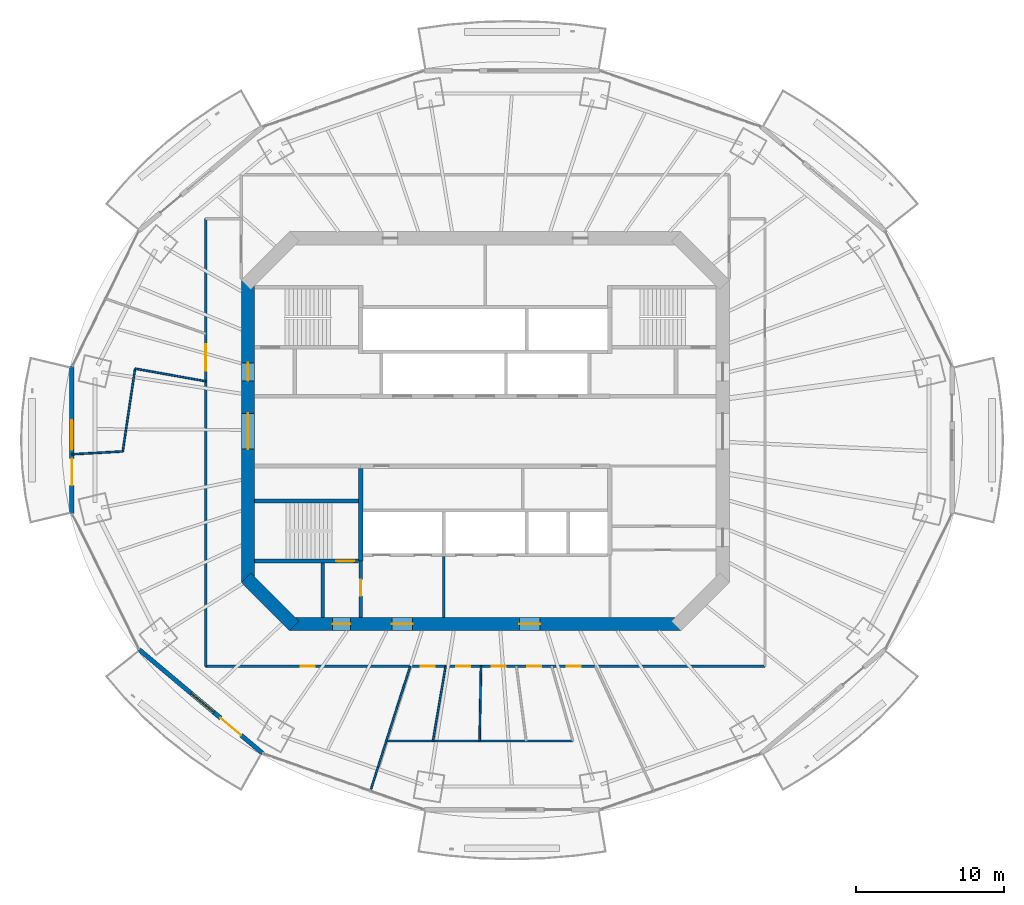
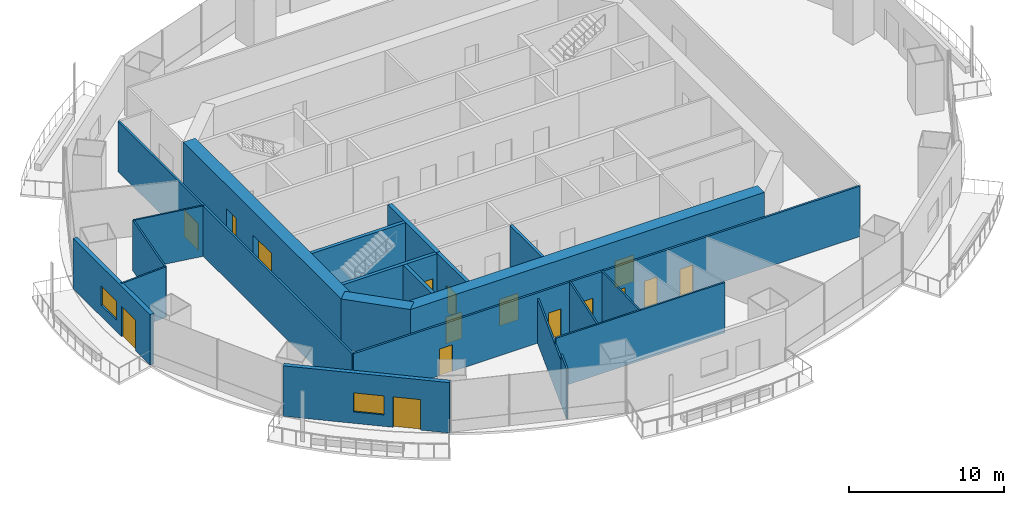
# One storey, part 10 of 19: 21 walls, 16 doors, 2 windows, 18 openings.
"""IFC4 building model written with IfcOpenShell, lengths in metres."""

from ifc_helpers import new_model, si_unit, direction, frame, frame_2d, origin, place, context, subcontext, project, spatial, rectangle, extrude, material, layer, layer_set, type_object, element, fill, save


model = new_model("IFC4")

# Units and contexts
model_context = context("Model", 3, precision=1e-05, world=origin(), true_north=direction((0.0, 1.0)))
body_context = subcontext(model_context, "Body", "Model", "MODEL_VIEW")
ifc_project = project(units=[si_unit("LENGTHUNIT", "METRE"), si_unit("AREAUNIT", "SQUARE_METRE"), si_unit("VOLUMEUNIT", "CUBIC_METRE"), si_unit("PLANEANGLEUNIT", "RADIAN"), si_unit("MASSUNIT", "GRAM", prefix="KILO")], contexts=[model_context])

# Site, building, storey
site_placement = place(None, origin())
site = spatial("IfcSite", under=ifc_project, at=site_placement, CompositionType="ELEMENT")
building_placement = place(site_placement, origin())
building = spatial("IfcBuilding", under=site, at=building_placement, Name="Marenthal Gate Tower", CompositionType="ELEMENT")
storey_placement = place(building_placement, frame((0.0, 0.0, 239.89990234375)))
storey = spatial("IfcBuildingStorey", under=building, at=storey_placement, Name="L53", CompositionType="ELEMENT", Elevation=239.89990234375)

# Wall, openings, doors
ifc_material_1 = material(Name="Concrete 60 MPa", Category="concrete")
ifc_layer_1 = layer(ifc_material_1, 0.89990234375)
ifc_layer_set_1 = layer_set([ifc_layer_1], Name="Core shear wall 900")
wall_type_1 = type_object("IfcWallType", Name="Core shear wall 900", PredefinedType="SHEAR", material=ifc_layer_set_1)
wall_1_placement = place(storey_placement, frame((-16.0, 10.186279296875, -0.179931640625), z_axis=(0.0, 0.0, 1.0), x_axis=(0.0, -1.0, 0.0)))
wall_1 = element("IfcWall", 1, at=wall_1_placement, inside=storey, type_object=wall_type_1, Name="Core wall 06", PredefinedType="SHEAR", context=body_context, shape_type="SweptSolid", body=[
    extrude(rectangle(XDim=20.37255859375, YDim=0.89990234375, at=frame_2d((10.186279296875, 0.0))), origin(), (0.0, 0.0, 1.0), 4.150146484375),
])
opening_1_placement = place(wall_1_placement, frame((8.986328125, 0.0, 0.179931640625)))
opening_1 = element("IfcOpeningElement", 2, at=opening_1_placement, cuts=wall_1, Name="Opening D003.01", PredefinedType="OPENING", context=body_context, shape_type="SweptSolid", body=[
    extrude(rectangle(XDim=2.39990234375, YDim=2.10009765625, at=frame_2d((1.199951171875, 1.050048828125))), frame((0.0, 0.4599609375, 0.0), z_axis=(0.0, -1.0, 0.0), x_axis=(1.0, 0.0, 0.0)), (0.0, 0.0, 1.0), 0.919921875),
])
opening_2_placement = place(wall_1_placement, frame((5.58642578125, 0.0, 0.179931640625)))
opening_2 = element("IfcOpeningElement", 3, at=opening_2_placement, cuts=wall_1, Name="Opening D001.04", PredefinedType="OPENING", context=body_context, shape_type="SweptSolid", body=[
    extrude(rectangle(XDim=1.199951171875, YDim=2.10009765625, at=frame_2d((0.60009765625, 1.050048828125))), frame((0.0, 0.4599609375, 0.0), z_axis=(0.0, -1.0, 0.0), x_axis=(1.0, 0.0, 0.0)), (0.0, 0.0, 1.0), 0.919921875),
])
ifc_material_2 = material(Name="Steel fire door", Category="steel")
door_type_1 = type_object("IfcDoorType", Name="Double fire door FD 45 2400 x 2100", OperationType="DOUBLE_DOOR_SINGLE_SWING", PredefinedType="DOOR", material=ifc_material_2)
door_1_placement = place(opening_1_placement, origin())
door_1 = element("IfcDoor", 4, at=door_1_placement, inside=storey, type_object=door_type_1, Name="Door D003.01", OperationType="DOUBLE_DOOR_SINGLE_SWING", OverallHeight=2.10009765625, OverallWidth=2.39990234375, PredefinedType="DOOR", context=body_context, shape_type="SweptSolid", body=[
    extrude(rectangle(XDim=2.39990234375, YDim=2.10009765625, at=frame_2d((1.199951171875, 1.050048828125))), frame((0.0, 0.02490234375, 0.0), z_axis=(0.0, -1.0, 0.0), x_axis=(1.0, 0.0, 0.0)), (0.0, 0.0, 1.0), 0.050048828125),
])
fill(opening_1, door_1)
ifc_material_3 = material(Name="Steel fire door", Category="steel")
door_type_2 = type_object("IfcDoorType", Name="Fire door FD 90 1200 x 2100", OperationType="NOTDEFINED", PredefinedType="DOOR", material=ifc_material_3)
door_2_placement = place(opening_2_placement, origin())
door_2 = element("IfcDoor", 5, at=door_2_placement, inside=storey, type_object=door_type_2, Name="Door D001.04", OperationType="SINGLE_SWING_RIGHT", OverallHeight=2.10009765625, OverallWidth=1.199951171875, PredefinedType="DOOR", context=body_context, shape_type="SweptSolid", body=[
    extrude(rectangle(XDim=1.199951171875, YDim=2.10009765625, at=frame_2d((0.60009765625, 1.050048828125))), frame((0.0, 0.02490234375, 0.0), z_axis=(0.0, -1.0, 0.0), x_axis=(1.0, 0.0, 0.0)), (0.0, 0.0, 1.0), 0.050048828125),
])
fill(opening_2, door_2)

# Wall
wall_2_placement = place(storey_placement, frame((-16.1318359375, -9.8681640625, -0.179931640625), z_axis=(0.0, 0.0, 1.0), x_axis=(0.707106781187, -0.707106781187, 0.0)))
element("IfcWall", 6, at=wall_2_placement, inside=storey, type_object=wall_type_1, Name="Core wall 07", PredefinedType="SHEAR", context=body_context, shape_type="SweptSolid", body=[
    extrude(rectangle(XDim=4.615478515625, YDim=0.89990234375, at=frame_2d((2.3076171875, 0.0))), origin(), (0.0, 0.0, 1.0), 4.150146484375),
])

# Wall, openings, doors
wall_3_placement = place(storey_placement, frame((-13.186279296875, -13.0, -0.179931640625), z_axis=(0.0, 0.0, 1.0), x_axis=(1.0, 0.0, 0.0)))
wall_3 = element("IfcWall", 7, at=wall_3_placement, inside=storey, type_object=wall_type_1, Name="Core wall 08", PredefinedType="SHEAR", context=body_context, shape_type="SweptSolid", body=[
    extrude(rectangle(XDim=26.37255859375, YDim=0.89990234375, at=frame_2d((13.186279296875, 0.0))), origin(), (0.0, 0.0, 1.0), 4.150146484375),
])
opening_3_placement = place(wall_3_placement, frame((2.886474609375, 0.0, 0.179931640625)))
opening_3 = element("IfcOpeningElement", 8, at=opening_3_placement, cuts=wall_3, Name="Opening D001.06", PredefinedType="OPENING", context=body_context, shape_type="SweptSolid", body=[
    extrude(rectangle(XDim=1.199951171875, YDim=2.10009765625, at=frame_2d((0.60009765625, 1.050048828125))), frame((0.0, 0.4599609375, 0.0), z_axis=(0.0, -1.0, 0.0), x_axis=(1.0, 0.0, 0.0)), (0.0, 0.0, 1.0), 0.919921875),
])
opening_4_placement = place(wall_3_placement, frame((6.886474609375, 0.0, 0.179931640625)))
opening_4 = element("IfcOpeningElement", 9, at=opening_4_placement, cuts=wall_3, Name="Opening D004.01", PredefinedType="OPENING", context=body_context, shape_type="SweptSolid", body=[
    extrude(rectangle(XDim=1.39990234375, YDim=2.10009765625, at=frame_2d((0.699951171875, 1.050048828125))), frame((0.0, 0.4599609375, 0.0), z_axis=(0.0, -1.0, 0.0), x_axis=(1.0, 0.0, 0.0)), (0.0, 0.0, 1.0), 0.919921875),
])
opening_5_placement = place(wall_3_placement, frame((15.486328125, 0.0, 0.179931640625)))
opening_5 = element("IfcOpeningElement", 10, at=opening_5_placement, cuts=wall_3, Name="Opening D004.02", PredefinedType="OPENING", context=body_context, shape_type="SweptSolid", body=[
    extrude(rectangle(XDim=1.39990234375, YDim=2.10009765625, at=frame_2d((0.699951171875, 1.050048828125))), frame((0.0, 0.4599609375, 0.0), z_axis=(0.0, -1.0, 0.0), x_axis=(1.0, 0.0, 0.0)), (0.0, 0.0, 1.0), 0.919921875),
])
ifc_material_4 = material(Name="Steel fire door", Category="steel")
door_type_3 = type_object("IfcDoorType", Name="Fire door FD 45 1400 x 2100", OperationType="NOTDEFINED", PredefinedType="DOOR", material=ifc_material_4)
door_3_placement = place(opening_4_placement, origin())
door_3 = element("IfcDoor", 11, at=door_3_placement, inside=storey, type_object=door_type_3, Name="Door D004.01", OperationType="SINGLE_SWING_RIGHT", OverallHeight=2.10009765625, OverallWidth=1.39990234375, PredefinedType="DOOR", context=body_context, shape_type="SweptSolid", body=[
    extrude(rectangle(XDim=1.39990234375, YDim=2.10009765625, at=frame_2d((0.699951171875, 1.050048828125))), frame((0.0, 0.02490234375, 0.0), z_axis=(0.0, -1.0, 0.0), x_axis=(1.0, 0.0, 0.0)), (0.0, 0.0, 1.0), 0.050048828125),
])
fill(opening_4, door_3)
door_4_placement = place(opening_5_placement, origin())
door_4 = element("IfcDoor", 12, at=door_4_placement, inside=storey, type_object=door_type_3, Name="Door D004.02", OperationType="SINGLE_SWING_RIGHT", OverallHeight=2.10009765625, OverallWidth=1.39990234375, PredefinedType="DOOR", context=body_context, shape_type="SweptSolid", body=[
    extrude(rectangle(XDim=1.39990234375, YDim=2.10009765625, at=frame_2d((0.699951171875, 1.050048828125))), frame((0.0, 0.02490234375, 0.0), z_axis=(0.0, -1.0, 0.0), x_axis=(1.0, 0.0, 0.0)), (0.0, 0.0, 1.0), 0.050048828125),
])
fill(opening_5, door_4)
door_5_placement = place(opening_3_placement, origin())
door_5 = element("IfcDoor", 13, at=door_5_placement, inside=storey, type_object=door_type_2, Name="Door D001.06", OperationType="SINGLE_SWING_RIGHT", OverallHeight=2.10009765625, OverallWidth=1.199951171875, PredefinedType="DOOR", context=body_context, shape_type="SweptSolid", body=[
    extrude(rectangle(XDim=1.199951171875, YDim=2.10009765625, at=frame_2d((0.60009765625, 1.050048828125))), frame((0.0, 0.02490234375, 0.0), z_axis=(0.0, -1.0, 0.0), x_axis=(1.0, 0.0, 0.0)), (0.0, 0.0, 1.0), 0.050048828125),
])
fill(opening_3, door_5)

# Walls
ifc_material_5 = material(Name="Gypsum board on steel studs", Category="steel")
ifc_layer_2 = layer(ifc_material_5, 0.199951171875)
ifc_layer_set_2 = layer_set([ifc_layer_2], Name="Fire lobby wall 200")
wall_type_2 = type_object("IfcWallType", Name="Fire lobby wall 200", PredefinedType="PARTITIONING", material=ifc_layer_set_2)
wall_4_placement = place(storey_placement, frame((-2.800048828125, -12.550048828125, 0.0), z_axis=(0.0, 0.0, 1.0), x_axis=(0.0, 1.0, 0.0)))
element("IfcWall", 14, at=wall_4_placement, inside=storey, type_object=wall_type_2, Name="Fire wall 35", PredefinedType="PARTITIONING", context=body_context, shape_type="SweptSolid", body=[
    extrude(rectangle(XDim=4.090087890625, YDim=0.199951171875, at=frame_2d((2.044921875, 0.0))), origin(), (0.0, 0.0, 1.0), 3.97021484375),
])
ifc_material_6 = material(Name="Concrete 50 MPa", Category="concrete")
ifc_layer_3 = layer(ifc_material_6, 0.300048828125)
ifc_layer_set_3 = layer_set([ifc_layer_3], Name="Hoistway shear wall 300")
wall_type_3 = type_object("IfcWallType", Name="Hoistway shear wall 300", PredefinedType="SHEAR", material=ifc_layer_set_3)
wall_5_placement = place(storey_placement, frame((-8.39990234375, -8.75, -0.179931640625), z_axis=(0.0, 0.0, 1.0), x_axis=(0.0, 1.0, 0.0)))
element("IfcWall", 15, at=wall_5_placement, inside=storey, type_object=wall_type_3, Name="Hoistway wall 31", PredefinedType="SHEAR", context=body_context, shape_type="SweptSolid", body=[
    extrude(rectangle(XDim=6.25, YDim=0.300048828125, at=frame_2d((3.125, 0.0))), origin(), (0.0, 0.0, 1.0), 4.150146484375),
])
ifc_material_7 = material(Name="Gypsum board on steel studs", Category="steel")
ifc_layer_4 = layer(ifc_material_7, 0.1201171875)
ifc_layer_set_4 = layer_set([ifc_layer_4], Name="Partition 120")
wall_type_4 = type_object("IfcWallType", Name="Partition 120", PredefinedType="PARTITIONING", material=ifc_layer_set_4)
wall_6_placement = place(storey_placement, frame((-24.438720703125, -1.364013671875, 0.0), z_axis=(0.0, 0.0, 1.0), x_axis=(-0.998446307291, -0.055722270749, 0.0)))
element("IfcWall", 16, at=wall_6_placement, inside=storey, type_object=wall_type_4, Name="Partition wall 49", PredefinedType="PARTITIONING", context=body_context, shape_type="SweptSolid", body=[
    extrude(rectangle(XDim=3.4306640625, YDim=0.1201171875, at=frame_2d((1.71533203125, 0.0))), origin(), (0.0, 0.0, 1.0), 3.97021484375),
])
wall_7_placement = place(storey_placement, frame((-23.607666015625, 4.216552734375, 0.0), z_axis=(0.0, 0.0, 1.0), x_axis=(-0.14729509075, -0.98909259235, 0.0)))
element("IfcWall", 17, at=wall_7_placement, inside=storey, type_object=wall_type_4, Name="Partition wall 50", PredefinedType="PARTITIONING", context=body_context, shape_type="SweptSolid", body=[
    extrude(rectangle(XDim=5.64208984375, YDim=0.1201171875, at=frame_2d((2.821044921875, 0.0))), origin(), (0.0, 0.0, 1.0), 3.97021484375),
])
wall_8_placement = place(storey_placement, frame((-23.607666015625, 4.216552734375, 0.0), z_axis=(0.0, 0.0, 1.0), x_axis=(0.984417270676, -0.175848335774, 0.0)))
element("IfcWall", 18, at=wall_8_placement, inside=storey, type_object=wall_type_4, Name="Partition wall 51", PredefinedType="PARTITIONING", context=body_context, shape_type="SweptSolid", body=[
    extrude(rectangle(XDim=4.832763671875, YDim=0.1201171875, at=frame_2d((2.41650390625, 0.0))), origin(), (0.0, 0.0, 1.0), 3.97021484375),
])
wall_9_placement = place(storey_placement, frame((-6.671630859375, -20.88623046875, 0.0), z_axis=(0.0, 0.0, 1.0), x_axis=(1.0, 0.0, 0.0)))
element("IfcWall", 19, at=wall_9_placement, inside=storey, type_object=wall_type_4, Name="Partition wall 57", PredefinedType="PARTITIONING", context=body_context, shape_type="SweptSolid", body=[
    extrude(rectangle(XDim=12.576416015625, YDim=0.1201171875, at=frame_2d((6.2880859375, 0.0))), origin(), (0.0, 0.0, 1.0), 3.97021484375),
])
wall_10_placement = place(storey_placement, frame((-5.06298828125, -15.85009765625, 0.0), z_axis=(0.0, 0.0, 1.0), x_axis=(-0.30428402172, -0.952581353022, 0.0)))
element("IfcWall", 20, at=wall_10_placement, inside=storey, type_object=wall_type_4, Name="Partition wall 58", PredefinedType="PARTITIONING", context=body_context, shape_type="SweptSolid", body=[
    extrude(rectangle(XDim=7.15283203125, YDim=0.1201171875, at=frame_2d((3.576416015625, 0.0))), origin(), (0.0, 0.0, 1.0), 3.503173828125),
])
wall_11_placement = place(storey_placement, frame((-7.239501953125, -22.663818359375, 0.0), z_axis=(0.0, 0.0, 1.0), x_axis=(-0.304278938766, -0.95258297666, 0.0)))
element("IfcWall", 21, at=wall_11_placement, inside=storey, type_object=wall_type_4, Name="Partition wall 68", PredefinedType="PARTITIONING", context=body_context, shape_type="SweptSolid", body=[
    extrude(rectangle(XDim=1.658447265625, YDim=0.1201171875, at=frame_2d((0.8291015625, 0.0))), origin(), (0.0, 0.0, 1.0), 3.97021484375),
])
wall_12_placement = place(storey_placement, frame((-3.527587890625, -20.88623046875, 0.0), z_axis=(0.0, 0.0, 1.0), x_axis=(0.166538009688, 0.986035035548, 0.0)))
element("IfcWall", 22, at=wall_12_placement, inside=storey, type_object=wall_type_4, Name="Partition wall 59", PredefinedType="PARTITIONING", context=body_context, shape_type="SweptSolid", body=[
    extrude(rectangle(XDim=5.107421875, YDim=0.1201171875, at=frame_2d((2.5537109375, 0.0))), origin(), (0.0, 0.0, 1.0), 3.97021484375),
])
wall_13_placement = place(storey_placement, frame((-0.383544921875, -20.88623046875, 0.0), z_axis=(0.0, 0.0, 1.0), x_axis=(0.018369984808, 0.999831257592, 0.0)))
element("IfcWall", 23, at=wall_13_placement, inside=storey, type_object=wall_type_4, Name="Partition wall 60", PredefinedType="PARTITIONING", context=body_context, shape_type="SweptSolid", body=[
    extrude(rectangle(XDim=5.036865234375, YDim=0.1201171875, at=frame_2d((2.5185546875, 0.0))), origin(), (0.0, 0.0, 1.0), 3.97021484375),
])

# Wall, opening, door
ifc_material_8 = material(Name="Gypsum board on steel studs", Category="steel")
ifc_layer_5 = layer(ifc_material_8, 0.14990234375)
ifc_layer_set_5 = layer_set([ifc_layer_5], Name="Partition 150")
wall_type_5 = type_object("IfcWallType", Name="Partition 150", PredefinedType="PARTITIONING", material=ifc_layer_set_5)
wall_14_placement = place(storey_placement, frame((-18.85009765625, -15.85009765625, 0.0), z_axis=(0.0, 0.0, 1.0), x_axis=(0.0, 1.0, 0.0)))
wall_14 = element("IfcWall", 24, at=wall_14_placement, inside=storey, type_object=wall_type_5, Name="Partition wall 52", PredefinedType="PARTITIONING", context=body_context, shape_type="SweptSolid", body=[
    extrude(rectangle(XDim=30.176025390625, YDim=0.14990234375, at=frame_2d((15.087890625, 0.0))), origin(), (0.0, 0.0, 1.0), 3.97021484375),
])
opening_6_placement = place(wall_14_placement, frame((19.9208984375, 0.0, 0.0)))
opening_6 = element("IfcOpeningElement", 25, at=opening_6_placement, cuts=wall_14, Name="Opening D014.01", PredefinedType="OPENING", context=body_context, shape_type="SweptSolid", body=[
    extrude(rectangle(XDim=1.800048828125, YDim=2.10009765625, at=frame_2d((0.89990234375, 1.050048828125))), frame((0.0, 0.0849609375, 0.0), z_axis=(0.0, -1.0, 0.0), x_axis=(1.0, 0.0, 0.0)), (0.0, 0.0, 1.0), 0.169921875),
])
ifc_material_9 = material(Name="Timber door", Category="wood")
door_type_4 = type_object("IfcDoorType", Name="Double door 1800 x 2100", OperationType="DOUBLE_DOOR_SINGLE_SWING", PredefinedType="DOOR", material=ifc_material_9)
door_6_placement = place(opening_6_placement, origin())
door_6 = element("IfcDoor", 26, at=door_6_placement, inside=storey, type_object=door_type_4, Name="Door D014.01", OperationType="DOUBLE_DOOR_SINGLE_SWING", OverallHeight=2.10009765625, OverallWidth=1.800048828125, PredefinedType="DOOR", context=body_context, shape_type="SweptSolid", body=[
    extrude(rectangle(XDim=1.800048828125, YDim=2.10009765625, at=frame_2d((0.89990234375, 1.050048828125))), frame((0.0, 0.02490234375, 0.0), z_axis=(0.0, -1.0, 0.0), x_axis=(1.0, 0.0, 0.0)), (0.0, 0.0, 1.0), 0.050048828125),
])
fill(opening_6, door_6)

# Wall, openings, doors
wall_15_placement = place(storey_placement, frame((18.85009765625, -15.85009765625, 0.0), z_axis=(0.0, 0.0, 1.0), x_axis=(-1.0, 0.0, 0.0)))
wall_15 = element("IfcWall", 27, at=wall_15_placement, inside=storey, type_object=wall_type_5, Name="Partition wall 66", PredefinedType="PARTITIONING", context=body_context, shape_type="SweptSolid", body=[
    extrude(rectangle(XDim=37.7001953125, YDim=0.14990234375, at=frame_2d((18.85009765625, 0.0))), origin(), (0.0, 0.0, 1.0), 3.97021484375),
])
opening_7_placement = place(wall_15_placement, frame((30.33203125, 0.0, 0.0)))
opening_7 = element("IfcOpeningElement", 28, at=opening_7_placement, cuts=wall_15, Name="Opening D016.01", PredefinedType="OPENING", context=body_context, shape_type="SweptSolid", body=[
    extrude(rectangle(XDim=0.949951171875, YDim=2.10009765625, at=frame_2d((0.47509765625, 1.050048828125))), frame((0.0, 0.0849609375, 0.0), z_axis=(0.0, -1.0, 0.0), x_axis=(1.0, 0.0, 0.0)), (0.0, 0.0, 1.0), 0.169921875),
])
opening_8_placement = place(wall_15_placement, frame((22.2451171875, 0.0, 0.0)))
opening_8 = element("IfcOpeningElement", 29, at=opening_8_placement, cuts=wall_15, Name="Opening D016.02", PredefinedType="OPENING", context=body_context, shape_type="SweptSolid", body=[
    extrude(rectangle(XDim=0.949951171875, YDim=2.10009765625, at=frame_2d((0.47509765625, 1.050048828125))), frame((0.0, 0.0849609375, 0.0), z_axis=(0.0, -1.0, 0.0), x_axis=(1.0, 0.0, 0.0)), (0.0, 0.0, 1.0), 0.169921875),
])
opening_9_placement = place(wall_15_placement, frame((19.85888671875, 0.0, 0.0)))
opening_9 = element("IfcOpeningElement", 30, at=opening_9_placement, cuts=wall_15, Name="Opening D016.03", PredefinedType="OPENING", context=body_context, shape_type="SweptSolid", body=[
    extrude(rectangle(XDim=0.949951171875, YDim=2.10009765625, at=frame_2d((0.47509765625, 1.050048828125))), frame((0.0, 0.0849609375, 0.0), z_axis=(0.0, -1.0, 0.0), x_axis=(1.0, 0.0, 0.0)), (0.0, 0.0, 1.0), 0.169921875),
])
opening_10_placement = place(wall_15_placement, frame((17.472900390625, 0.0, 0.0)))
opening_10 = element("IfcOpeningElement", 31, at=opening_10_placement, cuts=wall_15, Name="Opening D016.04", PredefinedType="OPENING", context=body_context, shape_type="SweptSolid", body=[
    extrude(rectangle(XDim=0.949951171875, YDim=2.10009765625, at=frame_2d((0.47509765625, 1.050048828125))), frame((0.0, 0.0849609375, 0.0), z_axis=(0.0, -1.0, 0.0), x_axis=(1.0, 0.0, 0.0)), (0.0, 0.0, 1.0), 0.169921875),
])
opening_11_placement = place(wall_15_placement, frame((15.0869140625, 0.0, 0.0)))
opening_11 = element("IfcOpeningElement", 32, at=opening_11_placement, cuts=wall_15, Name="Opening D016.05", PredefinedType="OPENING", context=body_context, shape_type="SweptSolid", body=[
    extrude(rectangle(XDim=0.949951171875, YDim=2.10009765625, at=frame_2d((0.47509765625, 1.050048828125))), frame((0.0, 0.0849609375, 0.0), z_axis=(0.0, -1.0, 0.0), x_axis=(1.0, 0.0, 0.0)), (0.0, 0.0, 1.0), 0.169921875),
])
opening_12_placement = place(wall_15_placement, frame((12.426025390625, 0.0, 0.0)))
opening_12 = element("IfcOpeningElement", 33, at=opening_12_placement, cuts=wall_15, Name="Opening D016.06", PredefinedType="OPENING", context=body_context, shape_type="SweptSolid", body=[
    extrude(rectangle(XDim=0.949951171875, YDim=2.10009765625, at=frame_2d((0.47509765625, 1.050048828125))), frame((0.0, 0.0849609375, 0.0), z_axis=(0.0, -1.0, 0.0), x_axis=(1.0, 0.0, 0.0)), (0.0, 0.0, 1.0), 0.169921875),
])
ifc_material_10 = material(Name="Timber door", Category="wood")
door_type_5 = type_object("IfcDoorType", Name="Door 950 x 2100", OperationType="NOTDEFINED", PredefinedType="DOOR", material=ifc_material_10)
door_7_placement = place(opening_7_placement, frame((0.949951171875, 0.0, 0.0), z_axis=(0.0, 0.0, 1.0), x_axis=(-1.0, 0.0, 0.0)))
door_7 = element("IfcDoor", 34, at=door_7_placement, inside=storey, type_object=door_type_5, Name="Door D016.01", OperationType="SINGLE_SWING_LEFT", OverallHeight=2.10009765625, OverallWidth=0.949951171875, PredefinedType="DOOR", context=body_context, shape_type="SweptSolid", body=[
    extrude(rectangle(XDim=0.949951171875, YDim=2.10009765625, at=frame_2d((0.47509765625, 1.050048828125))), frame((0.0, 0.02490234375, 0.0), z_axis=(0.0, -1.0, 0.0), x_axis=(1.0, 0.0, 0.0)), (0.0, 0.0, 1.0), 0.050048828125),
])
fill(opening_7, door_7)
door_8_placement = place(opening_8_placement, origin())
door_8 = element("IfcDoor", 35, at=door_8_placement, inside=storey, type_object=door_type_5, Name="Door D016.02", OperationType="SINGLE_SWING_RIGHT", OverallHeight=2.10009765625, OverallWidth=0.949951171875, PredefinedType="DOOR", context=body_context, shape_type="SweptSolid", body=[
    extrude(rectangle(XDim=0.949951171875, YDim=2.10009765625, at=frame_2d((0.47509765625, 1.050048828125))), frame((0.0, 0.02490234375, 0.0), z_axis=(0.0, -1.0, 0.0), x_axis=(1.0, 0.0, 0.0)), (0.0, 0.0, 1.0), 0.050048828125),
])
fill(opening_8, door_8)
door_9_placement = place(opening_9_placement, origin())
door_9 = element("IfcDoor", 36, at=door_9_placement, inside=storey, type_object=door_type_5, Name="Door D016.03", OperationType="SINGLE_SWING_RIGHT", OverallHeight=2.10009765625, OverallWidth=0.949951171875, PredefinedType="DOOR", context=body_context, shape_type="SweptSolid", body=[
    extrude(rectangle(XDim=0.949951171875, YDim=2.10009765625, at=frame_2d((0.47509765625, 1.050048828125))), frame((0.0, 0.02490234375, 0.0), z_axis=(0.0, -1.0, 0.0), x_axis=(1.0, 0.0, 0.0)), (0.0, 0.0, 1.0), 0.050048828125),
])
fill(opening_9, door_9)
door_10_placement = place(opening_10_placement, origin())
door_10 = element("IfcDoor", 37, at=door_10_placement, inside=storey, type_object=door_type_5, Name="Door D016.04", OperationType="SINGLE_SWING_RIGHT", OverallHeight=2.10009765625, OverallWidth=0.949951171875, PredefinedType="DOOR", context=body_context, shape_type="SweptSolid", body=[
    extrude(rectangle(XDim=0.949951171875, YDim=2.10009765625, at=frame_2d((0.47509765625, 1.050048828125))), frame((0.0, 0.02490234375, 0.0), z_axis=(0.0, -1.0, 0.0), x_axis=(1.0, 0.0, 0.0)), (0.0, 0.0, 1.0), 0.050048828125),
])
fill(opening_10, door_10)
door_11_placement = place(opening_11_placement, origin())
door_11 = element("IfcDoor", 38, at=door_11_placement, inside=storey, type_object=door_type_5, Name="Door D016.05", OperationType="SINGLE_SWING_RIGHT", OverallHeight=2.10009765625, OverallWidth=0.949951171875, PredefinedType="DOOR", context=body_context, shape_type="SweptSolid", body=[
    extrude(rectangle(XDim=0.949951171875, YDim=2.10009765625, at=frame_2d((0.47509765625, 1.050048828125))), frame((0.0, 0.02490234375, 0.0), z_axis=(0.0, -1.0, 0.0), x_axis=(1.0, 0.0, 0.0)), (0.0, 0.0, 1.0), 0.050048828125),
])
fill(opening_11, door_11)
door_12_placement = place(opening_12_placement, origin())
door_12 = element("IfcDoor", 39, at=door_12_placement, inside=storey, type_object=door_type_5, Name="Door D016.06", OperationType="SINGLE_SWING_RIGHT", OverallHeight=2.10009765625, OverallWidth=0.949951171875, PredefinedType="DOOR", context=body_context, shape_type="SweptSolid", body=[
    extrude(rectangle(XDim=0.949951171875, YDim=2.10009765625, at=frame_2d((0.47509765625, 1.050048828125))), frame((0.0, 0.02490234375, 0.0), z_axis=(0.0, -1.0, 0.0), x_axis=(1.0, 0.0, 0.0)), (0.0, 0.0, 1.0), 0.050048828125),
])
fill(opening_12, door_12)

# Wall
ifc_material_11 = material(Name="Concrete 40 MPa", Category="concrete")
ifc_layer_6 = layer(ifc_material_11, 0.25)
ifc_layer_set_6 = layer_set([ifc_layer_6], Name="Stair enclosure wall 250")
wall_type_6 = type_object("IfcWallType", Name="Stair enclosure wall 250", PredefinedType="STANDARD", material=ifc_layer_set_6)
wall_16_placement = place(storey_placement, frame((-10.949951171875, -12.550048828125, 0.0), z_axis=(0.0, 0.0, 1.0), x_axis=(0.0, 1.0, 0.0)))
element("IfcWall", 40, at=wall_16_placement, inside=storey, type_object=wall_type_6, Name="Stair wall 29", PredefinedType="STANDARD", context=body_context, shape_type="SweptSolid", body=[
    extrude(rectangle(XDim=3.675048828125, YDim=0.25, at=frame_2d((1.83740234375, 0.0))), origin(), (0.0, 0.0, 1.0), 3.97021484375),
])

# Wall, opening, door
wall_17_placement = place(storey_placement, frame((-8.39990234375, -12.550048828125, 0.0), z_axis=(0.0, 0.0, 1.0), x_axis=(0.0, 1.0, 0.0)))
wall_17 = element("IfcWall", 41, at=wall_17_placement, inside=storey, type_object=wall_type_6, Name="Stair wall 30", PredefinedType="STANDARD", context=body_context, shape_type="SweptSolid", body=[
    extrude(rectangle(XDim=3.800048828125, YDim=0.25, at=frame_2d((1.89990234375, 0.0))), origin(), (0.0, 0.0, 1.0), 3.97021484375),
])
opening_13_placement = place(wall_17_placement, frame((1.449951171875, 0.0, 0.0)))
opening_13 = element("IfcOpeningElement", 42, at=opening_13_placement, cuts=wall_17, Name="Opening D002.01", PredefinedType="OPENING", context=body_context, shape_type="SweptSolid", body=[
    extrude(rectangle(XDim=1.10009765625, YDim=2.10009765625, at=frame_2d((0.550048828125, 1.050048828125))), frame((0.0, 0.135009765625, 0.0), z_axis=(0.0, -1.0, 0.0), x_axis=(1.0, 0.0, 0.0)), (0.0, 0.0, 1.0), 0.27001953125),
])
ifc_material_12 = material(Name="Steel fire door", Category="steel")
door_type_6 = type_object("IfcDoorType", Name="Fire door FD 90 1100 x 2100", OperationType="NOTDEFINED", PredefinedType="DOOR", material=ifc_material_12)
door_13_placement = place(opening_13_placement, origin())
door_13 = element("IfcDoor", 43, at=door_13_placement, inside=storey, type_object=door_type_6, Name="Door D002.01", OperationType="SINGLE_SWING_RIGHT", OverallHeight=2.10009765625, OverallWidth=1.10009765625, PredefinedType="DOOR", context=body_context, shape_type="SweptSolid", body=[
    extrude(rectangle(XDim=1.10009765625, YDim=2.10009765625, at=frame_2d((0.550048828125, 1.050048828125))), frame((0.0, 0.02490234375, 0.0), z_axis=(0.0, -1.0, 0.0), x_axis=(1.0, 0.0, 0.0)), (0.0, 0.0, 1.0), 0.050048828125),
])
fill(opening_13, door_13)

ifc_material_13 = material(Name="Concrete 50 MPa", Category="concrete")
ifc_layer_7 = layer(ifc_material_13, 0.25)
ifc_layer_set_7 = layer_set([ifc_layer_7], Name="Stair shear wall 250")
wall_type_7 = type_object("IfcWallType", Name="Stair shear wall 250", PredefinedType="SHEAR", material=ifc_layer_set_7)
wall_18_placement = place(storey_placement, frame((-15.550048828125, -8.75, -0.179931640625), z_axis=(0.0, 0.0, 1.0), x_axis=(1.0, 0.0, 0.0)))
wall_18 = element("IfcWall", 44, at=wall_18_placement, inside=storey, type_object=wall_type_7, Name="Stair wall 09", PredefinedType="SHEAR", context=body_context, shape_type="SweptSolid", body=[
    extrude(rectangle(XDim=7.0, YDim=0.25, at=frame_2d((3.5, 0.0))), origin(), (0.0, 0.0, 1.0), 4.150146484375),
])
opening_14_placement = place(wall_18_placement, frame((5.5, 0.0, 0.179931640625)))
opening_14 = element("IfcOpeningElement", 45, at=opening_14_placement, cuts=wall_18, Name="Opening D001.03", PredefinedType="OPENING", context=body_context, shape_type="SweptSolid", body=[
    extrude(rectangle(XDim=1.199951171875, YDim=2.10009765625, at=frame_2d((0.60009765625, 1.050048828125))), frame((0.0, 0.135009765625, 0.0), z_axis=(0.0, -1.0, 0.0), x_axis=(1.0, 0.0, 0.0)), (0.0, 0.0, 1.0), 0.27001953125),
])
door_14_placement = place(opening_14_placement, origin())
door_14 = element("IfcDoor", 46, at=door_14_placement, inside=storey, type_object=door_type_2, Name="Door D001.03", OperationType="SINGLE_SWING_RIGHT", OverallHeight=2.10009765625, OverallWidth=1.199951171875, PredefinedType="DOOR", context=body_context, shape_type="SweptSolid", body=[
    extrude(rectangle(XDim=1.199951171875, YDim=2.10009765625, at=frame_2d((0.60009765625, 1.050048828125))), frame((0.0, 0.02490234375, 0.0), z_axis=(0.0, -1.0, 0.0), x_axis=(1.0, 0.0, 0.0)), (0.0, 0.0, 1.0), 0.050048828125),
])
fill(opening_14, door_14)

# Wall
wall_19_placement = place(storey_placement, frame((-15.550048828125, -4.699951171875, -0.179931640625), z_axis=(0.0, 0.0, 1.0), x_axis=(1.0, 0.0, 0.0)))
element("IfcWall", 47, at=wall_19_placement, inside=storey, type_object=wall_type_7, Name="Stair wall 15", PredefinedType="SHEAR", context=body_context, shape_type="SweptSolid", body=[
    extrude(rectangle(XDim=7.0, YDim=0.25, at=frame_2d((3.5, 0.0))), origin(), (0.0, 0.0, 1.0), 4.150146484375),
])

# Wall, openings, door, window
ifc_material_14 = material(Name="Terracotta cladding on insulated concrete-block backing", Category="masonry")
ifc_layer_8 = layer(ifc_material_14, 0.300048828125)
ifc_layer_set_8 = layer_set([ifc_layer_8], Name="Terracotta facade wall 300")
wall_type_8 = type_object("IfcWallType", Name="Terracotta facade wall 300", PredefinedType="SOLIDWALL", material=ifc_layer_set_8)
wall_20_placement = place(storey_placement, frame((-27.864013671875, 4.35498046875, 0.0), z_axis=(0.0, 0.0, 1.0), x_axis=(0.0, -1.0, 0.0)))
wall_20 = element("IfcWall", 48, at=wall_20_placement, inside=storey, type_object=wall_type_8, Name="Terracotta facade wall L53 bay 8", PredefinedType="SOLIDWALL", context=body_context, shape_type="SweptSolid", body=[
    extrude(rectangle(XDim=9.91015625, YDim=0.300048828125, at=frame_2d((4.955078125, 0.0))), origin(), (0.0, 0.0, 1.0), 3.97021484375),
])
opening_15_placement = place(wall_20_placement, frame((6.210205078125, 0.0, 0.0)))
opening_15 = element("IfcOpeningElement", 49, at=opening_15_placement, cuts=wall_20, Name="Opening BD-L53-08", PredefinedType="OPENING", context=body_context, shape_type="SweptSolid", body=[
    extrude(rectangle(XDim=1.800048828125, YDim=2.39990234375, at=frame_2d((0.89990234375, 1.199951171875))), frame((0.0, 0.16015625, 0.0), z_axis=(0.0, -1.0, 0.0), x_axis=(1.0, 0.0, 0.0)), (0.0, 0.0, 1.0), 0.320068359375),
])
opening_16_placement = place(wall_20_placement, frame((3.610107421875, 0.0, 0.89990234375)))
opening_16 = element("IfcOpeningElement", 50, at=opening_16_placement, cuts=wall_20, Name="Opening WN2-L53-08", PredefinedType="OPENING", context=body_context, shape_type="SweptSolid", body=[
    extrude(rectangle(XDim=2.0, YDim=1.5, at=frame_2d((1.0, 0.75))), frame((0.0, 0.16015625, 0.0), z_axis=(0.0, -1.0, 0.0), x_axis=(1.0, 0.0, 0.0)), (0.0, 0.0, 1.0), 0.320068359375),
])
ifc_material_15 = material(Name="Aluminium and glass", Category="aluminium")
door_type_7 = type_object("IfcDoorType", Name="Balcony door 1800x2400", OperationType="DOUBLE_DOOR_SINGLE_SWING", PredefinedType="DOOR", material=ifc_material_15)
door_15_placement = place(opening_15_placement, origin())
door_15 = element("IfcDoor", 51, at=door_15_placement, inside=storey, type_object=door_type_7, Name="Balcony door L53 bay 8", OperationType="SINGLE_SWING_LEFT", OverallHeight=2.39990234375, OverallWidth=1.800048828125, PredefinedType="DOOR", context=body_context, shape_type="SweptSolid", body=[
    extrude(rectangle(XDim=1.800048828125, YDim=2.39990234375, at=frame_2d((0.89990234375, 1.199951171875))), frame((0.0, 0.02490234375, 0.0), z_axis=(0.0, -1.0, 0.0), x_axis=(1.0, 0.0, 0.0)), (0.0, 0.0, 1.0), 0.050048828125),
])
fill(opening_15, door_15)
ifc_material_16 = material(Name="Aluminium and glass", Category="aluminium")
window_type = type_object("IfcWindowType", Name="Window 2000x1500", PartitioningType="DOUBLE_PANEL_VERTICAL", PredefinedType="WINDOW", material=ifc_material_16)
window_1_placement = place(opening_16_placement, origin())
window_1 = element("IfcWindow", 52, at=window_1_placement, inside=storey, type_object=window_type, Name="Window L53 bay 8", OverallHeight=1.5, OverallWidth=2.0, PartitioningType="SINGLE_PANEL", PredefinedType="WINDOW", context=body_context, shape_type="SweptSolid", body=[
    extrude(rectangle(XDim=2.0, YDim=1.5, at=frame_2d((1.0, 0.75))), frame((0.0, 0.030029296875, 0.0), z_axis=(0.0, -1.0, 0.0), x_axis=(1.0, 0.0, 0.0)), (0.0, 0.0, 1.0), 0.06005859375),
])
fill(opening_16, window_1)

wall_21_placement = place(storey_placement, frame((-23.347900390625, -14.7109375, 0.0), z_axis=(0.0, 0.0, 1.0), x_axis=(0.765795338051, -0.643084364777, 0.0)))
wall_21 = element("IfcWall", 53, at=wall_21_placement, inside=storey, type_object=wall_type_8, Name="Terracotta facade wall L53 bay 10", PredefinedType="SOLIDWALL", context=body_context, shape_type="SweptSolid", body=[
    extrude(rectangle(XDim=10.896728515625, YDim=0.300048828125, at=frame_2d((5.4482421875, 0.0))), origin(), (0.0, 0.0, 1.0), 3.97021484375),
])
opening_17_placement = place(wall_21_placement, frame((7.19677734375, 0.0, 0.0)))
opening_17 = element("IfcOpeningElement", 54, at=opening_17_placement, cuts=wall_21, Name="Opening BD-L53-10", PredefinedType="OPENING", context=body_context, shape_type="SweptSolid", body=[
    extrude(rectangle(XDim=1.800048828125, YDim=2.39990234375, at=frame_2d((0.89990234375, 1.199951171875))), frame((0.0, 0.16015625, 0.0), z_axis=(0.0, -1.0, 0.0), x_axis=(1.0, 0.0, 0.0)), (0.0, 0.0, 1.0), 0.320068359375),
])
opening_18_placement = place(wall_21_placement, frame((4.5966796875, 0.0, 0.89990234375)))
opening_18 = element("IfcOpeningElement", 55, at=opening_18_placement, cuts=wall_21, Name="Opening WN2-L53-10", PredefinedType="OPENING", context=body_context, shape_type="SweptSolid", body=[
    extrude(rectangle(XDim=2.0, YDim=1.5, at=frame_2d((1.0, 0.75))), frame((0.0, 0.16015625, 0.0), z_axis=(0.0, -1.0, 0.0), x_axis=(1.0, 0.0, 0.0)), (0.0, 0.0, 1.0), 0.320068359375),
])
door_16_placement = place(opening_17_placement, origin())
door_16 = element("IfcDoor", 56, at=door_16_placement, inside=storey, type_object=door_type_7, Name="Balcony door L53 bay 10", OperationType="SINGLE_SWING_LEFT", OverallHeight=2.39990234375, OverallWidth=1.800048828125, PredefinedType="DOOR", context=body_context, shape_type="SweptSolid", body=[
    extrude(rectangle(XDim=1.800048828125, YDim=2.39990234375, at=frame_2d((0.89990234375, 1.199951171875))), frame((0.0, 0.02490234375, 0.0), z_axis=(0.0, -1.0, 0.0), x_axis=(1.0, 0.0, 0.0)), (0.0, 0.0, 1.0), 0.050048828125),
])
fill(opening_17, door_16)
window_2_placement = place(opening_18_placement, origin())
window_2 = element("IfcWindow", 57, at=window_2_placement, inside=storey, type_object=window_type, Name="Window L53 bay 10", OverallHeight=1.5, OverallWidth=2.0, PartitioningType="SINGLE_PANEL", PredefinedType="WINDOW", context=body_context, shape_type="SweptSolid", body=[
    extrude(rectangle(XDim=2.0, YDim=1.5, at=frame_2d((1.0, 0.75))), frame((0.0, 0.030029296875, 0.0), z_axis=(0.0, -1.0, 0.0), x_axis=(1.0, 0.0, 0.0)), (0.0, 0.0, 1.0), 0.06005859375),
])
fill(opening_18, window_2)

save(model, "model.ifc")
